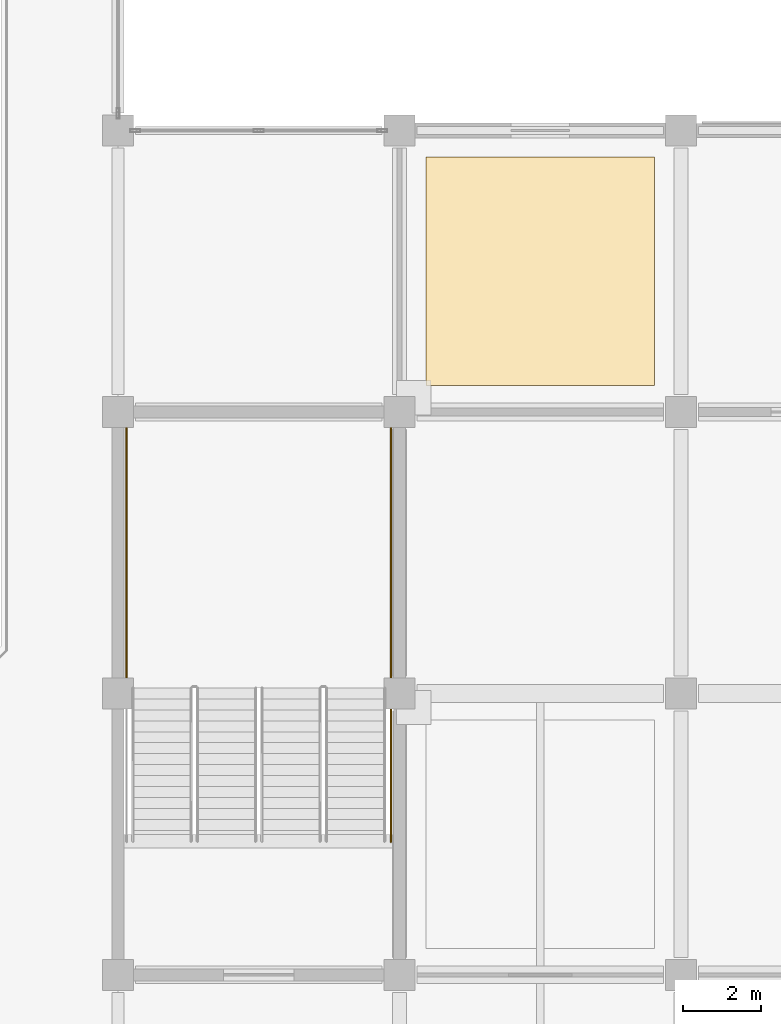
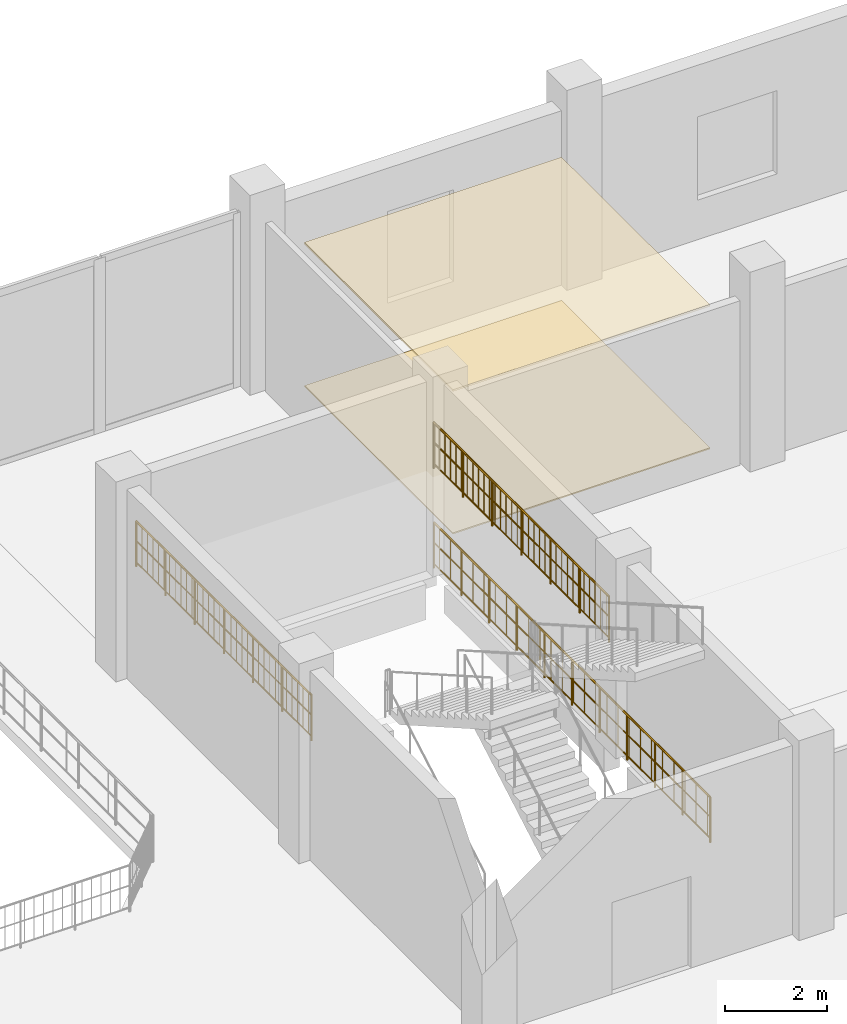
# One storey, part 88 of 99: 3 railings, 2 coverings.
"""IFC4 building model written with IfcOpenShell, lengths in metres."""

from ifc_helpers import new_model, si_unit, direction, frame, origin, origin_2d, place, context, subcontext, project, spatial, polyline, circle, outline, extrude, material, layer, layer_set, type_object, element, save


model = new_model("IFC4")

# Units and contexts
model_context = context("Model", 3, precision=1e-05, world=origin(), true_north=direction((0.0, 1.0)))
body_context = subcontext(model_context, "Body", "Model", "MODEL_VIEW")
ifc_project = project(units=[si_unit("LENGTHUNIT", "METRE"), si_unit("AREAUNIT", "SQUARE_METRE"), si_unit("VOLUMEUNIT", "CUBIC_METRE"), si_unit("PLANEANGLEUNIT", "RADIAN"), si_unit("MASSUNIT", "GRAM", prefix="KILO")], contexts=[model_context])

# Site, building, storey
site_placement = place(None, origin())
site = spatial("IfcSite", under=ifc_project, at=site_placement, CompositionType="ELEMENT")
building_placement = place(site_placement, origin())
building = spatial("IfcBuilding", under=site, at=building_placement, Name="Vesperath Aquatics Centre", CompositionType="ELEMENT")
storey_placement = place(building_placement, frame((0.0, 0.0, 5.39990234375)))
storey = spatial("IfcBuildingStorey", under=building, at=storey_placement, Name="L01", CompositionType="ELEMENT", Elevation=5.39990234375)

# Coverings
ifc_material_1 = material(Name="Perforated moisture-resistant acoustic mineral-fibre ceiling", Category="gypsum")
ifc_layer_1 = layer(ifc_material_1, 0.044921875)
ifc_layer_set_1 = layer_set([ifc_layer_1], Name="Perforated moisture-resistant acoustic mineral-fibre ceiling")
covering_type_1 = type_object("IfcCoveringType", Name="CV-CLG01", PredefinedType="CEILING", material=ifc_layer_set_1)
covering_1_placement = place(storey_placement, frame((0.0, 0.0, 3.425048828125)))
element("IfcCovering", 1, at=covering_1_placement, inside=storey, type_object=covering_type_1, Name="Acoustic Suspended Ceiling CLG1 L01_REHAB_GYM", PredefinedType="CEILING", context=body_context, shape_type="SweptSolid", body=[
    extrude(outline(polyline([(123.080078125, 36.679931640625), (128.919921875, 36.679931640625), (128.919921875, 42.52001953125), (123.080078125, 42.52001953125), (123.080078125, 36.679931640625)])), origin(), (0.0, 0.0, 1.0), 0.045166015625),
])
ifc_material_2 = material(Name="Slip-resistant vitrified ceramic and terrazzo flooring", Category="ceramic")
ifc_layer_2 = layer(ifc_material_2, 0.030029296875)
ifc_layer_set_2 = layer_set([ifc_layer_2], Name="Slip-resistant vitrified ceramic and terrazzo flooring")
covering_type_2 = type_object("IfcCoveringType", Name="CV-FLR01", PredefinedType="FLOORING", material=ifc_layer_set_2)
covering_2_placement = place(storey_placement, origin())
element("IfcCovering", 2, at=covering_2_placement, inside=storey, type_object=covering_type_2, Name="Slip-Resistant Floor Finish FLR1 L01_REHAB_GYM", PredefinedType="FLOORING", context=body_context, shape_type="SweptSolid", body=[
    extrude(outline(polyline([(123.080078125, 36.679931640625), (128.919921875, 36.679931640625), (128.919921875, 42.52001953125), (123.080078125, 42.52001953125), (123.080078125, 36.679931640625)])), origin(), (0.0, 0.0, 1.0), 0.030029296875),
])

# Railings
ifc_material_3 = material(Name="Powder-coated galvanized steel safety guard", Category="steel")
railing_type = type_object("IfcRailingType", Name="RL-GRD01", PredefinedType="GUARDRAIL", material=ifc_material_3)
railing_1_placement = place(storey_placement, frame((115.419921875, 28.97998046875, 2.400146484375)))
element("IfcRailing", 3, at=railing_1_placement, inside=storey, type_object=railing_type, Name="Stair ST7A Half-Landing Wall Guard GR02 L01", PredefinedType="GUARDRAIL", context=body_context, shape_type="SweptSolid", body=[
    extrude(circle(Radius=0.02392578125, at=origin_2d()), frame((0.0, 0.0, 1.0859375), z_axis=(0.0, 1.0, 0.0), x_axis=(-1.0, 0.0, 0.0)), (0.0, 0.0, 1.0), 6.89013671875),
    extrude(circle(Radius=0.01611328125, at=origin_2d()), frame((0.0, 0.0, 0.10009765625), z_axis=(0.0, 1.0, 0.0), x_axis=(-1.0, 0.0, 0.0)), (0.0, 0.0, 1.0), 6.89013671875),
    extrude(circle(Radius=0.01611328125, at=origin_2d()), frame((0.0, 0.0, 0.610595703125), z_axis=(0.0, 1.0, 0.0), x_axis=(-1.0, 0.0, 0.0)), (0.0, 0.0, 1.0), 6.89013671875),
    extrude(circle(Radius=0.009033203125, at=origin_2d()), frame((0.0, 0.109375, 0.10009765625)), (0.0, 0.0, 1.0), 0.9619140625),
    extrude(circle(Radius=0.009033203125, at=origin_2d()), frame((0.0, 0.328125, 0.10009765625)), (0.0, 0.0, 1.0), 0.9619140625),
    extrude(circle(Radius=0.009033203125, at=origin_2d()), frame((0.0, 0.546875, 0.10009765625)), (0.0, 0.0, 1.0), 0.9619140625),
    extrude(circle(Radius=0.009033203125, at=origin_2d()), frame((0.0, 0.765625, 0.10009765625)), (0.0, 0.0, 1.0), 0.9619140625),
    extrude(circle(Radius=0.009033203125, at=origin_2d()), frame((0.0, 0.984375, 0.10009765625)), (0.0, 0.0, 1.0), 0.9619140625),
    extrude(circle(Radius=0.009033203125, at=origin_2d()), frame((0.0, 1.203125, 0.10009765625)), (0.0, 0.0, 1.0), 0.9619140625),
    extrude(circle(Radius=0.009033203125, at=origin_2d()), frame((0.0, 1.421875, 0.10009765625)), (0.0, 0.0, 1.0), 0.9619140625),
    extrude(circle(Radius=0.009033203125, at=origin_2d()), frame((0.0, 1.640625, 0.10009765625)), (0.0, 0.0, 1.0), 0.9619140625),
    extrude(circle(Radius=0.009033203125, at=origin_2d()), frame((0.0, 1.859130859375, 0.10009765625)), (0.0, 0.0, 1.0), 0.9619140625),
    extrude(circle(Radius=0.009033203125, at=origin_2d()), frame((0.0, 2.077880859375, 0.10009765625)), (0.0, 0.0, 1.0), 0.9619140625),
    extrude(circle(Radius=0.009033203125, at=origin_2d()), frame((0.0, 2.296630859375, 0.10009765625)), (0.0, 0.0, 1.0), 0.9619140625),
    extrude(circle(Radius=0.009033203125, at=origin_2d()), frame((0.0, 2.515380859375, 0.10009765625)), (0.0, 0.0, 1.0), 0.9619140625),
    extrude(circle(Radius=0.009033203125, at=origin_2d()), frame((0.0, 2.734130859375, 0.10009765625)), (0.0, 0.0, 1.0), 0.9619140625),
    extrude(circle(Radius=0.009033203125, at=origin_2d()), frame((0.0, 2.952880859375, 0.10009765625)), (0.0, 0.0, 1.0), 0.9619140625),
    extrude(circle(Radius=0.009033203125, at=origin_2d()), frame((0.0, 3.171630859375, 0.10009765625)), (0.0, 0.0, 1.0), 0.9619140625),
    extrude(circle(Radius=0.009033203125, at=origin_2d()), frame((0.0, 3.390380859375, 0.10009765625)), (0.0, 0.0, 1.0), 0.9619140625),
    extrude(circle(Radius=0.009033203125, at=origin_2d()), frame((0.0, 3.609130859375, 0.10009765625)), (0.0, 0.0, 1.0), 0.9619140625),
    extrude(circle(Radius=0.009033203125, at=origin_2d()), frame((0.0, 3.827880859375, 0.10009765625)), (0.0, 0.0, 1.0), 0.9619140625),
    extrude(circle(Radius=0.009033203125, at=origin_2d()), frame((0.0, 4.046630859375, 0.10009765625)), (0.0, 0.0, 1.0), 0.9619140625),
    extrude(circle(Radius=0.009033203125, at=origin_2d()), frame((0.0, 4.265380859375, 0.10009765625)), (0.0, 0.0, 1.0), 0.9619140625),
    extrude(circle(Radius=0.009033203125, at=origin_2d()), frame((0.0, 4.484130859375, 0.10009765625)), (0.0, 0.0, 1.0), 0.9619140625),
    extrude(circle(Radius=0.009033203125, at=origin_2d()), frame((0.0, 4.702880859375, 0.10009765625)), (0.0, 0.0, 1.0), 0.9619140625),
    extrude(circle(Radius=0.009033203125, at=origin_2d()), frame((0.0, 4.921630859375, 0.10009765625)), (0.0, 0.0, 1.0), 0.9619140625),
    extrude(circle(Radius=0.009033203125, at=origin_2d()), frame((0.0, 5.140380859375, 0.10009765625)), (0.0, 0.0, 1.0), 0.9619140625),
    extrude(circle(Radius=0.009033203125, at=origin_2d()), frame((0.0, 5.35888671875, 0.10009765625)), (0.0, 0.0, 1.0), 0.9619140625),
    extrude(circle(Radius=0.009033203125, at=origin_2d()), frame((0.0, 5.57763671875, 0.10009765625)), (0.0, 0.0, 1.0), 0.9619140625),
    extrude(circle(Radius=0.009033203125, at=origin_2d()), frame((0.0, 5.79638671875, 0.10009765625)), (0.0, 0.0, 1.0), 0.9619140625),
    extrude(circle(Radius=0.009033203125, at=origin_2d()), frame((0.0, 6.01513671875, 0.10009765625)), (0.0, 0.0, 1.0), 0.9619140625),
    extrude(circle(Radius=0.009033203125, at=origin_2d()), frame((0.0, 6.23388671875, 0.10009765625)), (0.0, 0.0, 1.0), 0.9619140625),
    extrude(circle(Radius=0.009033203125, at=origin_2d()), frame((0.0, 6.45263671875, 0.10009765625)), (0.0, 0.0, 1.0), 0.9619140625),
    extrude(circle(Radius=0.009033203125, at=origin_2d()), frame((0.0, 6.67138671875, 0.10009765625)), (0.0, 0.0, 1.0), 0.9619140625),
    extrude(circle(Radius=0.02197265625, at=origin_2d()), origin(), (0.0, 0.0, 1.0), 1.0859375),
    extrude(circle(Radius=0.02197265625, at=origin_2d()), frame((0.0, 1.1484375, 0.0)), (0.0, 0.0, 1.0), 1.0859375),
    extrude(circle(Radius=0.02197265625, at=origin_2d()), frame((0.0, 2.296630859375, 0.0)), (0.0, 0.0, 1.0), 1.0859375),
    extrude(circle(Radius=0.02197265625, at=origin_2d()), frame((0.0, 3.445068359375, 0.0)), (0.0, 0.0, 1.0), 1.0859375),
    extrude(circle(Radius=0.02197265625, at=origin_2d()), frame((0.0, 4.593505859375, 0.0)), (0.0, 0.0, 1.0), 1.0859375),
    extrude(circle(Radius=0.02197265625, at=origin_2d()), frame((0.0, 5.74169921875, 0.0)), (0.0, 0.0, 1.0), 1.0859375),
    extrude(circle(Radius=0.02197265625, at=origin_2d()), frame((0.0, 6.89013671875, 0.0)), (0.0, 0.0, 1.0), 1.0859375),
])
railing_2_placement = place(storey_placement, frame((122.179931640625, 28.97998046875, 2.400146484375)))
element("IfcRailing", 4, at=railing_2_placement, inside=storey, type_object=railing_type, Name="Stair ST7B Half-Landing Wall Guard GR02 L01", PredefinedType="GUARDRAIL", context=body_context, shape_type="SweptSolid", body=[
    extrude(circle(Radius=0.02392578125, at=origin_2d()), frame((0.0, 0.0, 1.0859375), z_axis=(0.0, 1.0, 0.0), x_axis=(-1.0, 0.0, 0.0)), (0.0, 0.0, 1.0), 6.89013671875),
    extrude(circle(Radius=0.01611328125, at=origin_2d()), frame((0.0, 0.0, 0.10009765625), z_axis=(0.0, 1.0, 0.0), x_axis=(-1.0, 0.0, 0.0)), (0.0, 0.0, 1.0), 6.89013671875),
    extrude(circle(Radius=0.01611328125, at=origin_2d()), frame((0.0, 0.0, 0.610595703125), z_axis=(0.0, 1.0, 0.0), x_axis=(-1.0, 0.0, 0.0)), (0.0, 0.0, 1.0), 6.89013671875),
    extrude(circle(Radius=0.009033203125, at=origin_2d()), frame((0.0, 0.109375, 0.10009765625)), (0.0, 0.0, 1.0), 0.9619140625),
    extrude(circle(Radius=0.009033203125, at=origin_2d()), frame((0.0, 0.328125, 0.10009765625)), (0.0, 0.0, 1.0), 0.9619140625),
    extrude(circle(Radius=0.009033203125, at=origin_2d()), frame((0.0, 0.546875, 0.10009765625)), (0.0, 0.0, 1.0), 0.9619140625),
    extrude(circle(Radius=0.009033203125, at=origin_2d()), frame((0.0, 0.765625, 0.10009765625)), (0.0, 0.0, 1.0), 0.9619140625),
    extrude(circle(Radius=0.009033203125, at=origin_2d()), frame((0.0, 0.984375, 0.10009765625)), (0.0, 0.0, 1.0), 0.9619140625),
    extrude(circle(Radius=0.009033203125, at=origin_2d()), frame((0.0, 1.203125, 0.10009765625)), (0.0, 0.0, 1.0), 0.9619140625),
    extrude(circle(Radius=0.009033203125, at=origin_2d()), frame((0.0, 1.421875, 0.10009765625)), (0.0, 0.0, 1.0), 0.9619140625),
    extrude(circle(Radius=0.009033203125, at=origin_2d()), frame((0.0, 1.640625, 0.10009765625)), (0.0, 0.0, 1.0), 0.9619140625),
    extrude(circle(Radius=0.009033203125, at=origin_2d()), frame((0.0, 1.859130859375, 0.10009765625)), (0.0, 0.0, 1.0), 0.9619140625),
    extrude(circle(Radius=0.009033203125, at=origin_2d()), frame((0.0, 2.077880859375, 0.10009765625)), (0.0, 0.0, 1.0), 0.9619140625),
    extrude(circle(Radius=0.009033203125, at=origin_2d()), frame((0.0, 2.296630859375, 0.10009765625)), (0.0, 0.0, 1.0), 0.9619140625),
    extrude(circle(Radius=0.009033203125, at=origin_2d()), frame((0.0, 2.515380859375, 0.10009765625)), (0.0, 0.0, 1.0), 0.9619140625),
    extrude(circle(Radius=0.009033203125, at=origin_2d()), frame((0.0, 2.734130859375, 0.10009765625)), (0.0, 0.0, 1.0), 0.9619140625),
    extrude(circle(Radius=0.009033203125, at=origin_2d()), frame((0.0, 2.952880859375, 0.10009765625)), (0.0, 0.0, 1.0), 0.9619140625),
    extrude(circle(Radius=0.009033203125, at=origin_2d()), frame((0.0, 3.171630859375, 0.10009765625)), (0.0, 0.0, 1.0), 0.9619140625),
    extrude(circle(Radius=0.009033203125, at=origin_2d()), frame((0.0, 3.390380859375, 0.10009765625)), (0.0, 0.0, 1.0), 0.9619140625),
    extrude(circle(Radius=0.009033203125, at=origin_2d()), frame((0.0, 3.609130859375, 0.10009765625)), (0.0, 0.0, 1.0), 0.9619140625),
    extrude(circle(Radius=0.009033203125, at=origin_2d()), frame((0.0, 3.827880859375, 0.10009765625)), (0.0, 0.0, 1.0), 0.9619140625),
    extrude(circle(Radius=0.009033203125, at=origin_2d()), frame((0.0, 4.046630859375, 0.10009765625)), (0.0, 0.0, 1.0), 0.9619140625),
    extrude(circle(Radius=0.009033203125, at=origin_2d()), frame((0.0, 4.265380859375, 0.10009765625)), (0.0, 0.0, 1.0), 0.9619140625),
    extrude(circle(Radius=0.009033203125, at=origin_2d()), frame((0.0, 4.484130859375, 0.10009765625)), (0.0, 0.0, 1.0), 0.9619140625),
    extrude(circle(Radius=0.009033203125, at=origin_2d()), frame((0.0, 4.702880859375, 0.10009765625)), (0.0, 0.0, 1.0), 0.9619140625),
    extrude(circle(Radius=0.009033203125, at=origin_2d()), frame((0.0, 4.921630859375, 0.10009765625)), (0.0, 0.0, 1.0), 0.9619140625),
    extrude(circle(Radius=0.009033203125, at=origin_2d()), frame((0.0, 5.140380859375, 0.10009765625)), (0.0, 0.0, 1.0), 0.9619140625),
    extrude(circle(Radius=0.009033203125, at=origin_2d()), frame((0.0, 5.35888671875, 0.10009765625)), (0.0, 0.0, 1.0), 0.9619140625),
    extrude(circle(Radius=0.009033203125, at=origin_2d()), frame((0.0, 5.57763671875, 0.10009765625)), (0.0, 0.0, 1.0), 0.9619140625),
    extrude(circle(Radius=0.009033203125, at=origin_2d()), frame((0.0, 5.79638671875, 0.10009765625)), (0.0, 0.0, 1.0), 0.9619140625),
    extrude(circle(Radius=0.009033203125, at=origin_2d()), frame((0.0, 6.01513671875, 0.10009765625)), (0.0, 0.0, 1.0), 0.9619140625),
    extrude(circle(Radius=0.009033203125, at=origin_2d()), frame((0.0, 6.23388671875, 0.10009765625)), (0.0, 0.0, 1.0), 0.9619140625),
    extrude(circle(Radius=0.009033203125, at=origin_2d()), frame((0.0, 6.45263671875, 0.10009765625)), (0.0, 0.0, 1.0), 0.9619140625),
    extrude(circle(Radius=0.009033203125, at=origin_2d()), frame((0.0, 6.67138671875, 0.10009765625)), (0.0, 0.0, 1.0), 0.9619140625),
    extrude(circle(Radius=0.02197265625, at=origin_2d()), origin(), (0.0, 0.0, 1.0), 1.0859375),
    extrude(circle(Radius=0.02197265625, at=origin_2d()), frame((0.0, 1.1484375, 0.0)), (0.0, 0.0, 1.0), 1.0859375),
    extrude(circle(Radius=0.02197265625, at=origin_2d()), frame((0.0, 2.296630859375, 0.0)), (0.0, 0.0, 1.0), 1.0859375),
    extrude(circle(Radius=0.02197265625, at=origin_2d()), frame((0.0, 3.445068359375, 0.0)), (0.0, 0.0, 1.0), 1.0859375),
    extrude(circle(Radius=0.02197265625, at=origin_2d()), frame((0.0, 4.593505859375, 0.0)), (0.0, 0.0, 1.0), 1.0859375),
    extrude(circle(Radius=0.02197265625, at=origin_2d()), frame((0.0, 5.74169921875, 0.0)), (0.0, 0.0, 1.0), 1.0859375),
    extrude(circle(Radius=0.02197265625, at=origin_2d()), frame((0.0, 6.89013671875, 0.0)), (0.0, 0.0, 1.0), 1.0859375),
])
railing_3_placement = place(storey_placement, frame((122.179931640625, 25.0, 0.0)))
element("IfcRailing", 5, at=railing_3_placement, inside=storey, type_object=railing_type, Name="Stair ST7B Shaft Side Guard GR02 L01", PredefinedType="GUARDRAIL", context=body_context, shape_type="SweptSolid", body=[
    extrude(circle(Radius=0.02392578125, at=origin_2d()), frame((0.0, 0.0, 1.0859375), z_axis=(0.0, 1.0, 0.0), x_axis=(-1.0, 0.0, 0.0)), (0.0, 0.0, 1.0), 10.8701171875),
    extrude(circle(Radius=0.01611328125, at=origin_2d()), frame((0.0, 0.0, 0.10009765625), z_axis=(0.0, 1.0, 0.0), x_axis=(-1.0, 0.0, 0.0)), (0.0, 0.0, 1.0), 10.8701171875),
    extrude(circle(Radius=0.01611328125, at=origin_2d()), frame((0.0, 0.0, 0.610595703125), z_axis=(0.0, 1.0, 0.0), x_axis=(-1.0, 0.0, 0.0)), (0.0, 0.0, 1.0), 10.8701171875),
    extrude(circle(Radius=0.009033203125, at=origin_2d()), frame((0.0, 0.10986328125, 0.10009765625)), (0.0, 0.0, 1.0), 0.9619140625),
    extrude(circle(Radius=0.009033203125, at=origin_2d()), frame((0.0, 0.549072265625, 0.10009765625)), (0.0, 0.0, 1.0), 0.9619140625),
    extrude(circle(Radius=0.009033203125, at=origin_2d()), frame((0.0, 0.98828125, 0.10009765625)), (0.0, 0.0, 1.0), 0.9619140625),
    extrude(circle(Radius=0.009033203125, at=origin_2d()), frame((0.0, 1.427490234375, 0.10009765625)), (0.0, 0.0, 1.0), 0.9619140625),
    extrude(circle(Radius=0.009033203125, at=origin_2d()), frame((0.0, 1.86669921875, 0.10009765625)), (0.0, 0.0, 1.0), 0.9619140625),
    extrude(circle(Radius=0.009033203125, at=origin_2d()), frame((0.0, 2.3056640625, 0.10009765625)), (0.0, 0.0, 1.0), 0.9619140625),
    extrude(circle(Radius=0.009033203125, at=origin_2d()), frame((0.0, 2.744873046875, 0.10009765625)), (0.0, 0.0, 1.0), 0.9619140625),
    extrude(circle(Radius=0.009033203125, at=origin_2d()), frame((0.0, 3.18408203125, 0.10009765625)), (0.0, 0.0, 1.0), 0.9619140625),
    extrude(circle(Radius=0.009033203125, at=origin_2d()), frame((0.0, 3.623291015625, 0.10009765625)), (0.0, 0.0, 1.0), 0.9619140625),
    extrude(circle(Radius=0.009033203125, at=origin_2d()), frame((0.0, 4.0625, 0.10009765625)), (0.0, 0.0, 1.0), 0.9619140625),
    extrude(circle(Radius=0.009033203125, at=origin_2d()), frame((0.0, 4.501708984375, 0.10009765625)), (0.0, 0.0, 1.0), 0.9619140625),
    extrude(circle(Radius=0.009033203125, at=origin_2d()), frame((0.0, 4.94091796875, 0.10009765625)), (0.0, 0.0, 1.0), 0.9619140625),
    extrude(circle(Radius=0.009033203125, at=origin_2d()), frame((0.0, 5.380126953125, 0.10009765625)), (0.0, 0.0, 1.0), 0.9619140625),
    extrude(circle(Radius=0.009033203125, at=origin_2d()), frame((0.0, 5.8193359375, 0.10009765625)), (0.0, 0.0, 1.0), 0.9619140625),
    extrude(circle(Radius=0.009033203125, at=origin_2d()), frame((0.0, 6.258544921875, 0.10009765625)), (0.0, 0.0, 1.0), 0.9619140625),
    extrude(circle(Radius=0.009033203125, at=origin_2d()), frame((0.0, 6.69775390625, 0.10009765625)), (0.0, 0.0, 1.0), 0.9619140625),
    extrude(circle(Radius=0.009033203125, at=origin_2d()), frame((0.0, 7.136962890625, 0.10009765625)), (0.0, 0.0, 1.0), 0.9619140625),
    extrude(circle(Radius=0.009033203125, at=origin_2d()), frame((0.0, 7.576171875, 0.10009765625)), (0.0, 0.0, 1.0), 0.9619140625),
    extrude(circle(Radius=0.009033203125, at=origin_2d()), frame((0.0, 8.015380859375, 0.10009765625)), (0.0, 0.0, 1.0), 0.9619140625),
    extrude(circle(Radius=0.009033203125, at=origin_2d()), frame((0.0, 8.45458984375, 0.10009765625)), (0.0, 0.0, 1.0), 0.9619140625),
    extrude(circle(Radius=0.009033203125, at=origin_2d()), frame((0.0, 8.893798828125, 0.10009765625)), (0.0, 0.0, 1.0), 0.9619140625),
    extrude(circle(Radius=0.009033203125, at=origin_2d()), frame((0.0, 9.3330078125, 0.10009765625)), (0.0, 0.0, 1.0), 0.9619140625),
    extrude(circle(Radius=0.009033203125, at=origin_2d()), frame((0.0, 9.772216796875, 0.10009765625)), (0.0, 0.0, 1.0), 0.9619140625),
    extrude(circle(Radius=0.009033203125, at=origin_2d()), frame((0.0, 10.21142578125, 0.10009765625)), (0.0, 0.0, 1.0), 0.9619140625),
    extrude(circle(Radius=0.009033203125, at=origin_2d()), frame((0.0, 10.650634765625, 0.10009765625)), (0.0, 0.0, 1.0), 0.9619140625),
    extrude(circle(Radius=0.02197265625, at=origin_2d()), origin(), (0.0, 0.0, 1.0), 1.0859375),
    extrude(circle(Radius=0.02197265625, at=origin_2d()), frame((0.0, 1.0869140625, 0.0)), (0.0, 0.0, 1.0), 1.0859375),
    extrude(circle(Radius=0.02197265625, at=origin_2d()), frame((0.0, 2.174072265625, 0.0)), (0.0, 0.0, 1.0), 1.0859375),
    extrude(circle(Radius=0.02197265625, at=origin_2d()), frame((0.0, 3.260986328125, 0.0)), (0.0, 0.0, 1.0), 1.0859375),
    extrude(circle(Radius=0.02197265625, at=origin_2d()), frame((0.0, 4.34814453125, 0.0)), (0.0, 0.0, 1.0), 1.0859375),
    extrude(circle(Radius=0.02197265625, at=origin_2d()), frame((0.0, 5.43505859375, 0.0)), (0.0, 0.0, 1.0), 1.0859375),
    extrude(circle(Radius=0.02197265625, at=origin_2d()), frame((0.0, 6.52197265625, 0.0)), (0.0, 0.0, 1.0), 1.0859375),
    extrude(circle(Radius=0.02197265625, at=origin_2d()), frame((0.0, 7.609130859375, 0.0)), (0.0, 0.0, 1.0), 1.0859375),
    extrude(circle(Radius=0.02197265625, at=origin_2d()), frame((0.0, 8.696044921875, 0.0)), (0.0, 0.0, 1.0), 1.0859375),
    extrude(circle(Radius=0.02197265625, at=origin_2d()), frame((0.0, 9.783203125, 0.0)), (0.0, 0.0, 1.0), 1.0859375),
    extrude(circle(Radius=0.02197265625, at=origin_2d()), frame((0.0, 10.8701171875, 0.0)), (0.0, 0.0, 1.0), 1.0859375),
])

save(model, "model.ifc")
